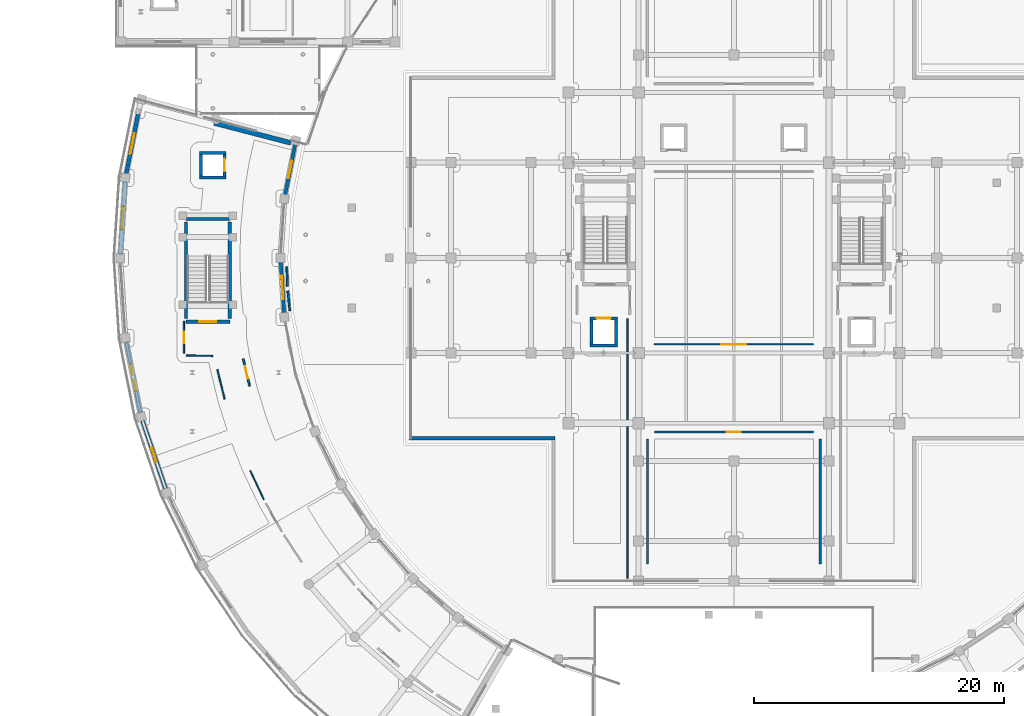
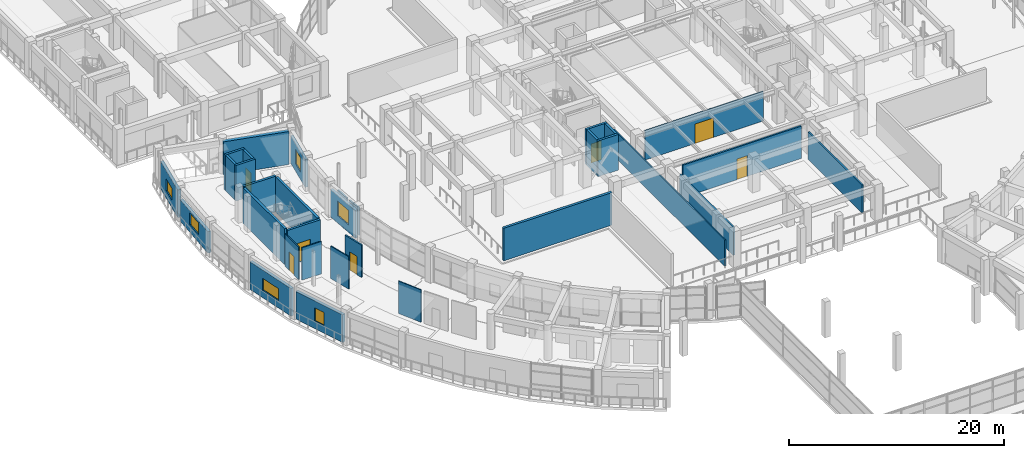
# One storey, part 59 of 87: 32 walls, 7 doors, 6 windows, 13 openings.
"""IFC4 building model written with IfcOpenShell, lengths in metres."""

from ifc_helpers import new_model, si_unit, direction, frame, frame_2d, origin, place, context, subcontext, project, spatial, rectangle, extrude, material, layer, layer_set, type_object, element, fill, save


model = new_model("IFC4")

# Units and contexts
model_context = context("Model", 3, precision=1e-05, world=origin(), true_north=direction((0.0, 1.0)))
body_context = subcontext(model_context, "Body", "Model", "MODEL_VIEW")
ifc_project = project(units=[si_unit("LENGTHUNIT", "METRE"), si_unit("AREAUNIT", "SQUARE_METRE"), si_unit("VOLUMEUNIT", "CUBIC_METRE"), si_unit("PLANEANGLEUNIT", "RADIAN"), si_unit("MASSUNIT", "GRAM", prefix="KILO")], contexts=[model_context])

# Site, building, storey
site_placement = place(None, origin())
site = spatial("IfcSite", under=ifc_project, at=site_placement, CompositionType="ELEMENT")
building_placement = place(site_placement, origin())
building = spatial("IfcBuilding", under=site, at=building_placement, Name="Saryqyr Civic Hall", CompositionType="ELEMENT")
storey_placement = place(building_placement, frame((0.0, 0.0, 5.10009765625)))
storey = spatial("IfcBuildingStorey", under=building, at=storey_placement, Name="L01", CompositionType="ELEMENT", Elevation=5.10009765625)

# Wall, opening, window
ifc_material_1 = material(Name="Precast concrete C40/50", Category="concrete")
ifc_layer_1 = layer(ifc_material_1, 0.27001953125, Name="Precast concrete C40/50")
ifc_layer_set_1 = layer_set([ifc_layer_1], Name="Precast concrete C40/50")
wall_type_1 = type_object("IfcWallType", Name="ENV-WAL-EXT-270", PredefinedType="STANDARD", material=ifc_layer_set_1)
wall_1_placement = place(storey_placement, frame((21.976806640625, 93.084228515625, 0.0), z_axis=(0.0, 0.0, 1.0), x_axis=(-0.19506490442, -0.980790335935, 0.0)))
wall_1 = element("IfcWall", 1, at=wall_1_placement, inside=storey, type_object=wall_type_1, Name="Exterior wall V4-EWI-L01-00", PredefinedType="STANDARD", context=body_context, shape_type="SweptSolid", body=[
    extrude(rectangle(XDim=4.154052734375, YDim=0.27001953125, at=frame_2d((2.0771484375, 0.0))), origin(), (0.0, 0.0, 1.0), 3.14501953125),
])
opening_1_placement = place(wall_1_placement, frame((1.376953125, 0.0, 0.85009765625)))
opening_1 = element("IfcOpeningElement", 2, at=opening_1_placement, cuts=wall_1, Name="Opening W-18", PredefinedType="OPENING", context=body_context, shape_type="SweptSolid", body=[
    extrude(rectangle(XDim=1.39990234375, YDim=1.64990234375, at=frame_2d((0.699951171875, 0.824951171875))), frame((0.0, 0.14501953125, 0.0), z_axis=(0.0, -1.0, 0.0), x_axis=(1.0, 0.0, 0.0)), (0.0, 0.0, 1.0), 0.2900390625),
])
ifc_material_2 = material(Name="Anodised aluminium and triple low-E glass", Category="aluminium")
window_type_1 = type_object("IfcWindowType", Name="ENV-WIN-W18", PartitioningType="SINGLE_PANEL", PredefinedType="WINDOW", material=ifc_material_2)
window_1_placement = place(opening_1_placement, origin())
window_1 = element("IfcWindow", 3, at=window_1_placement, inside=storey, type_object=window_type_1, Name="Courtyard window V4-L01-00", OverallHeight=1.64990234375, OverallWidth=1.39990234375, PartitioningType="SINGLE_PANEL", PredefinedType="WINDOW", context=body_context, shape_type="SweptSolid", body=[
    extrude(rectangle(XDim=1.39990234375, YDim=1.64990234375, at=frame_2d((0.699951171875, 0.824951171875))), frame((0.0, 0.030029296875, 0.0), z_axis=(0.0, -1.0, 0.0), x_axis=(1.0, 0.0, 0.0)), (0.0, 0.0, 1.0), 0.06005859375),
])
fill(opening_1, window_1)

wall_2_placement = place(storey_placement, frame((20.818603515625, 83.715087890625, 0.0), z_axis=(0.0, 0.0, 1.0), x_axis=(0.065433242561, -0.99785694905, 0.0)))
wall_2 = element("IfcWall", 4, at=wall_2_placement, inside=storey, type_object=wall_type_1, Name="Exterior wall V4-EWI-L01-02", PredefinedType="STANDARD", context=body_context, shape_type="SweptSolid", body=[
    extrude(rectangle(XDim=4.1640625, YDim=0.27001953125, at=frame_2d((2.08203125, 0.0))), origin(), (0.0, 0.0, 1.0), 3.14501953125),
])
opening_2_placement = place(wall_2_placement, frame((1.156982421875, 0.0, 0.85009765625)))
opening_2 = element("IfcOpeningElement", 5, at=opening_2_placement, cuts=wall_2, Name="Opening W-20", PredefinedType="OPENING", context=body_context, shape_type="SweptSolid", body=[
    extrude(rectangle(XDim=1.85009765625, YDim=1.64990234375, at=frame_2d((0.925048828125, 0.824951171875))), frame((0.0, 0.14501953125, 0.0), z_axis=(0.0, -1.0, 0.0), x_axis=(1.0, 0.0, 0.0)), (0.0, 0.0, 1.0), 0.2900390625),
])
window_type_2 = type_object("IfcWindowType", Name="ENV-WIN-W20", PartitioningType="SINGLE_PANEL", PredefinedType="WINDOW", material=ifc_material_2)
window_2_placement = place(opening_2_placement, origin())
window_2 = element("IfcWindow", 6, at=window_2_placement, inside=storey, type_object=window_type_2, Name="Courtyard window V4-L01-02", OverallHeight=1.64990234375, OverallWidth=1.85009765625, PartitioningType="SINGLE_PANEL", PredefinedType="WINDOW", context=body_context, shape_type="SweptSolid", body=[
    extrude(rectangle(XDim=1.85009765625, YDim=1.64990234375, at=frame_2d((0.925048828125, 0.824951171875))), frame((0.0, 0.030029296875, 0.0), z_axis=(0.0, -1.0, 0.0), x_axis=(1.0, 0.0, 0.0)), (0.0, 0.0, 1.0), 0.06005859375),
])
fill(opening_2, window_2)

# Wall
wall_3_placement = place(storey_placement, frame((42.719970703125, 69.60009765625, 0.0), z_axis=(0.0, 0.0, 1.0), x_axis=(-1.0, 0.0, 0.0)))
element("IfcWall", 7, at=wall_3_placement, inside=storey, type_object=wall_type_1, Name="Exterior wall V1-EW-L01-01", PredefinedType="STANDARD", context=body_context, shape_type="SweptSolid", body=[
    extrude(rectangle(XDim=11.639892578125, YDim=0.27001953125, at=frame_2d((5.81982421875, 0.0))), origin(), (0.0, 0.0, 1.0), 3.699951171875),
])

# Wall, opening, window
ifc_layer_2 = layer(ifc_material_1, 0.31005859375, Name="Precast concrete C40/50")
ifc_layer_set_2 = layer_set([ifc_layer_2], Name="Precast concrete C40/50")
wall_type_2 = type_object("IfcWallType", Name="ENV-WAL-EXT-310", PredefinedType="STANDARD", material=ifc_layer_set_2)
wall_4_placement = place(storey_placement, frame((8.475830078125, 90.680908203125, 0.0), z_axis=(0.0, 0.0, 1.0), x_axis=(0.195073176628, 0.980788690677, 0.0)))
wall_4 = element("IfcWall", 8, at=wall_4_placement, inside=storey, type_object=wall_type_2, Name="Exterior wall V4-EWO-L01-00", PredefinedType="STANDARD", context=body_context, shape_type="SweptSolid", body=[
    extrude(rectangle(XDim=4.952392578125, YDim=0.31005859375, at=frame_2d((2.47607421875, 0.0))), origin(), (0.0, 0.0, 1.0), 3.14501953125),
])
opening_3_placement = place(wall_4_placement, frame((1.6259765625, 0.0, 0.85009765625)))
opening_3 = element("IfcOpeningElement", 9, at=opening_3_placement, cuts=wall_4, Name="Opening W-05", PredefinedType="OPENING", context=body_context, shape_type="SweptSolid", body=[
    extrude(rectangle(XDim=1.699951171875, YDim=1.35009765625, at=frame_2d((0.85009765625, 0.675048828125))), frame((0.0, 0.1650390625, 0.0), z_axis=(0.0, -1.0, 0.0), x_axis=(1.0, 0.0, 0.0)), (0.0, 0.0, 1.0), 0.330078125),
])
window_type_3 = type_object("IfcWindowType", Name="ENV-WIN-W05", PartitioningType="SINGLE_PANEL", PredefinedType="WINDOW", material=ifc_material_2)
window_3_placement = place(opening_3_placement, origin())
window_3 = element("IfcWindow", 10, at=window_3_placement, inside=storey, type_object=window_type_3, Name="Exterior ribbon window V4-L01-00", OverallHeight=1.35009765625, OverallWidth=1.699951171875, PartitioningType="SINGLE_PANEL", PredefinedType="WINDOW", context=body_context, shape_type="SweptSolid", body=[
    extrude(rectangle(XDim=1.699951171875, YDim=1.35009765625, at=frame_2d((0.85009765625, 0.675048828125))), frame((0.0, 0.030029296875, 0.0), z_axis=(0.0, -1.0, 0.0), x_axis=(1.0, 0.0, 0.0)), (0.0, 0.0, 1.0), 0.06005859375),
])
fill(opening_3, window_3)

wall_5_placement = place(storey_placement, frame((8.018798828125, 84.284912109375, 0.0), z_axis=(0.0, 0.0, 1.0), x_axis=(0.065358841408, 0.997861825029, 0.0)))
wall_5 = element("IfcWall", 11, at=wall_5_placement, inside=storey, type_object=wall_type_2, Name="Exterior wall V4-EWO-L01-01", PredefinedType="STANDARD", context=body_context, shape_type="SweptSolid", body=[
    extrude(rectangle(XDim=5.83837890625, YDim=0.31005859375, at=frame_2d((2.919189453125, 0.0))), origin(), (0.0, 0.0, 1.0), 2.449951171875),
])
opening_4_placement = place(wall_5_placement, frame((1.993896484375, 0.0, 0.85009765625)))
opening_4 = element("IfcOpeningElement", 12, at=opening_4_placement, cuts=wall_5, Name="Opening W-06", PredefinedType="OPENING", context=body_context, shape_type="SweptSolid", body=[
    extrude(rectangle(XDim=1.85009765625, YDim=1.35009765625, at=frame_2d((0.925048828125, 0.675048828125))), frame((0.0, 0.1650390625, 0.0), z_axis=(0.0, -1.0, 0.0), x_axis=(1.0, 0.0, 0.0)), (0.0, 0.0, 1.0), 0.330078125),
])
window_type_4 = type_object("IfcWindowType", Name="ENV-WIN-W06", PartitioningType="SINGLE_PANEL", PredefinedType="WINDOW", material=ifc_material_2)
window_4_placement = place(opening_4_placement, origin())
window_4 = element("IfcWindow", 13, at=window_4_placement, inside=storey, type_object=window_type_4, Name="Exterior ribbon window V4-L01-01", OverallHeight=1.35009765625, OverallWidth=1.85009765625, PartitioningType="SINGLE_PANEL", PredefinedType="WINDOW", context=body_context, shape_type="SweptSolid", body=[
    extrude(rectangle(XDim=1.85009765625, YDim=1.35009765625, at=frame_2d((0.925048828125, 0.675048828125))), frame((0.0, 0.030029296875, 0.0), z_axis=(0.0, -1.0, 0.0), x_axis=(1.0, 0.0, 0.0)), (0.0, 0.0, 1.0), 0.06005859375),
])
fill(opening_4, window_4)

wall_6_placement = place(storey_placement, frame((9.61279296875, 71.602783203125, 0.0), z_axis=(0.0, 0.0, 1.0), x_axis=(-0.195076856741, 0.980787958717, 0.0)))
wall_6 = element("IfcWall", 14, at=wall_6_placement, inside=storey, type_object=wall_type_2, Name="Exterior wall V4-EWO-L01-03", PredefinedType="STANDARD", context=body_context, shape_type="SweptSolid", body=[
    extrude(rectangle(XDim=5.828369140625, YDim=0.31005859375, at=frame_2d((2.9140625, 0.0))), origin(), (0.0, 0.0, 1.0), 3.14501953125),
])
opening_5_placement = place(wall_6_placement, frame((1.81396484375, 0.0, 0.85009765625)))
opening_5 = element("IfcOpeningElement", 15, at=opening_5_placement, cuts=wall_6, Name="Opening W-08", PredefinedType="OPENING", context=body_context, shape_type="SweptSolid", body=[
    extrude(rectangle(XDim=2.199951171875, YDim=1.35009765625, at=frame_2d((1.10009765625, 0.675048828125))), frame((0.0, 0.1650390625, 0.0), z_axis=(0.0, -1.0, 0.0), x_axis=(1.0, 0.0, 0.0)), (0.0, 0.0, 1.0), 0.330078125),
])
window_type_5 = type_object("IfcWindowType", Name="ENV-WIN-W08", PartitioningType="SINGLE_PANEL", PredefinedType="WINDOW", material=ifc_material_2)
window_5_placement = place(opening_5_placement, origin())
window_5 = element("IfcWindow", 16, at=window_5_placement, inside=storey, type_object=window_type_5, Name="Exterior ribbon window V4-L01-03", OverallHeight=1.35009765625, OverallWidth=2.199951171875, PartitioningType="SINGLE_PANEL", PredefinedType="WINDOW", context=body_context, shape_type="SweptSolid", body=[
    extrude(rectangle(XDim=2.199951171875, YDim=1.35009765625, at=frame_2d((1.10009765625, 0.675048828125))), frame((0.0, 0.030029296875, 0.0), z_axis=(0.0, -1.0, 0.0), x_axis=(1.0, 0.0, 0.0)), (0.0, 0.0, 1.0), 0.06005859375),
])
fill(opening_5, window_5)

wall_7_placement = place(storey_placement, frame((11.63330078125, 65.533447265625, 0.0), z_axis=(0.0, 0.0, 1.0), x_axis=(-0.321456554182, 0.94692432843, 0.0)))
wall_7 = element("IfcWall", 17, at=wall_7_placement, inside=storey, type_object=wall_type_2, Name="Exterior wall V4-EWO-L01-04", PredefinedType="STANDARD", context=body_context, shape_type="SweptSolid", body=[
    extrude(rectangle(XDim=5.807861328125, YDim=0.31005859375, at=frame_2d((2.90380859375, 0.0))), origin(), (0.0, 0.0, 1.0), 3.14501953125),
])
opening_6_placement = place(wall_7_placement, frame((2.3291015625, 0.0, 0.85009765625)))
opening_6 = element("IfcOpeningElement", 18, at=opening_6_placement, cuts=wall_7, Name="Opening W-09", PredefinedType="OPENING", context=body_context, shape_type="SweptSolid", body=[
    extrude(rectangle(XDim=1.14990234375, YDim=1.5, at=frame_2d((0.574951171875, 0.75))), frame((0.0, 0.1650390625, 0.0), z_axis=(0.0, -1.0, 0.0), x_axis=(1.0, 0.0, 0.0)), (0.0, 0.0, 1.0), 0.330078125),
])
window_type_6 = type_object("IfcWindowType", Name="ENV-WIN-W09", PartitioningType="SINGLE_PANEL", PredefinedType="WINDOW", material=ifc_material_2)
window_6_placement = place(opening_6_placement, origin())
window_6 = element("IfcWindow", 19, at=window_6_placement, inside=storey, type_object=window_type_6, Name="Exterior ribbon window V4-L01-04", OverallHeight=1.5, OverallWidth=1.14990234375, PartitioningType="SINGLE_PANEL", PredefinedType="WINDOW", context=body_context, shape_type="SweptSolid", body=[
    extrude(rectangle(XDim=1.14990234375, YDim=1.5, at=frame_2d((0.574951171875, 0.75))), frame((0.0, 0.030029296875, 0.0), z_axis=(0.0, -1.0, 0.0), x_axis=(1.0, 0.0, 0.0)), (0.0, 0.0, 1.0), 0.06005859375),
])
fill(opening_6, window_6)

# Walls
ifc_material_3 = material(Name="Concrete C40/50", Category="concrete")
ifc_layer_3 = layer(ifc_material_3, 0.3798828125, Name="Concrete C40/50")
ifc_layer_set_3 = layer_set([ifc_layer_3], Name="Concrete C40/50")
wall_type_3 = type_object("IfcWallType", Name="ENV-WAL-PTY-380", PredefinedType="SHEAR", material=ifc_layer_set_3)
wall_8_placement = place(storey_placement, frame((15.5146484375, 94.767578125, 0.0), z_axis=(0.0, 0.0, 1.0), x_axis=(0.967930025072, -0.251219956541, 0.0)))
element("IfcWall", 20, at=wall_8_placement, inside=storey, type_object=wall_type_3, Name="Exterior wall V4-JNTW-A-L01", PredefinedType="SHEAR", context=body_context, shape_type="SweptSolid", body=[
    extrude(rectangle(XDim=6.31005859375, YDim=0.3798828125, at=frame_2d((3.155029296875, 0.0))), origin(), (0.0, 0.0, 1.0), 3.75),
])
ifc_material_4 = material(Name="Lightweight demountable partition", Category="gypsum")
ifc_layer_4 = layer(ifc_material_4, 0.094970703125, Name="Lightweight demountable partition")
ifc_layer_set_4 = layer_set([ifc_layer_4], Name="Lightweight demountable partition")
wall_type_4 = type_object("IfcWallType", Name="INT-WAL-PRT-095", PredefinedType="PARTITIONING", material=ifc_layer_set_4)
wall_9_placement = place(storey_placement, frame((18.374267578125, 67.017578125, 0.0), z_axis=(0.0, 0.0, 1.0), x_axis=(0.430041177786, -0.902809274104, 0.0)))
element("IfcWall", 21, at=wall_9_placement, inside=storey, type_object=wall_type_4, Name="Interior partition PRT-SP-V4-L01-R02-W3", PredefinedType="PARTITIONING", context=body_context, shape_type="SweptSolid", body=[
    extrude(rectangle(XDim=2.55419921875, YDim=0.094970703125, at=frame_2d((1.277099609375, 0.0))), origin(), (0.0, 0.0, 1.0), 3.679931640625),
])

# Wall, opening, door
wall_10_placement = place(storey_placement, frame((63.35009765625, 77.10009765625, 0.0), z_axis=(0.0, 0.0, 1.0), x_axis=(-1.0, 0.0, 0.0)))
wall_10 = element("IfcWall", 22, at=wall_10_placement, inside=storey, type_object=wall_type_4, Name="Interior partition PRT-SP-V1-L01-R01-W1", PredefinedType="PARTITIONING", context=body_context, shape_type="SweptSolid", body=[
    extrude(rectangle(XDim=12.7001953125, YDim=0.094970703125, at=frame_2d((6.35009765625, 0.0))), origin(), (0.0, 0.0, 1.0), 3.344970703125),
])
opening_7_placement = place(wall_10_placement, frame((5.35009765625, 0.0, 0.0)))
opening_7 = element("IfcOpeningElement", 23, at=opening_7_placement, cuts=wall_10, Name="Opening D-16", PredefinedType="OPENING", context=body_context, shape_type="SweptSolid", body=[
    extrude(rectangle(XDim=2.0, YDim=2.219970703125, at=frame_2d((1.0, 1.10986328125))), frame((0.0, 0.057373046875, 0.0), z_axis=(0.0, -1.0, 0.0), x_axis=(1.0, 0.0, 0.0)), (0.0, 0.0, 1.0), 0.114990234375),
])
ifc_material_5 = material(Name="Acoustic solid-core oak veneer", Category="wood")
door_type_1 = type_object("IfcDoorType", Name="INT-DR-D-16", OperationType="NOTDEFINED", PredefinedType="DOOR", material=ifc_material_5)
door_1_placement = place(opening_7_placement, origin())
door_1 = element("IfcDoor", 24, at=door_1_placement, inside=storey, type_object=door_type_1, Name="Interior door Ceremonial Marriage & Citizenship Hall", OperationType="DOUBLE_DOOR_SINGLE_SWING", OverallHeight=2.219970703125, OverallWidth=2.0, PredefinedType="DOOR", context=body_context, shape_type="SweptSolid", body=[
    extrude(rectangle(XDim=2.0, YDim=2.219970703125, at=frame_2d((1.0, 1.10986328125))), frame((0.0, 0.02490234375, 0.0), z_axis=(0.0, -1.0, 0.0), x_axis=(1.0, 0.0, 0.0)), (0.0, 0.0, 1.0), 0.050048828125),
])
fill(opening_7, door_1)

ifc_material_6 = material(Name="Moisture-resistant gypsum partition", Category="gypsum")
ifc_layer_5 = layer(ifc_material_6, 0.110107421875, Name="Moisture-resistant gypsum partition")
ifc_layer_set_5 = layer_set([ifc_layer_5], Name="Moisture-resistant gypsum partition")
wall_type_5 = type_object("IfcWallType", Name="INT-WAL-PRT-110", PredefinedType="PARTITIONING", material=ifc_layer_set_5)
wall_11_placement = place(storey_placement, frame((13.080078125, 78.922119140625, 0.0), z_axis=(0.0, 0.0, 1.0), x_axis=(0.0, -1.0, 0.0)))
wall_11 = element("IfcWall", 25, at=wall_11_placement, inside=storey, type_object=wall_type_5, Name="Interior partition PRT-SP-V4-L01-R01-W1", PredefinedType="PARTITIONING", context=body_context, shape_type="SweptSolid", body=[
    extrude(rectangle(XDim=2.542236328125, YDim=0.110107421875, at=frame_2d((1.27099609375, 0.0))), origin(), (0.0, 0.0, 1.0), 3.679931640625),
])
opening_8_placement = place(wall_11_placement, frame((0.821044921875, 0.0, 0.0)))
opening_8 = element("IfcOpeningElement", 26, at=opening_8_placement, cuts=wall_11, Name="Opening D-01", PredefinedType="OPENING", context=body_context, shape_type="SweptSolid", body=[
    extrude(rectangle(XDim=0.89990234375, YDim=2.10009765625, at=frame_2d((0.449951171875, 1.050048828125))), frame((0.0, 0.06494140625, 0.0), z_axis=(0.0, -1.0, 0.0), x_axis=(1.0, 0.0, 0.0)), (0.0, 0.0, 1.0), 0.130126953125),
])
door_type_2 = type_object("IfcDoorType", Name="INT-DR-D-01", OperationType="NOTDEFINED", PredefinedType="DOOR", material=ifc_material_5)
door_2_placement = place(opening_8_placement, origin())
door_2 = element("IfcDoor", 27, at=door_2_placement, inside=storey, type_object=door_type_2, Name="Interior door Civil Registry Ceremonial Hall", OperationType="SINGLE_SWING_LEFT", OverallHeight=2.10009765625, OverallWidth=0.89990234375, PredefinedType="DOOR", context=body_context, shape_type="SweptSolid", body=[
    extrude(rectangle(XDim=0.89990234375, YDim=2.10009765625, at=frame_2d((0.449951171875, 1.050048828125))), frame((0.0, 0.02490234375, 0.0), z_axis=(0.0, -1.0, 0.0), x_axis=(1.0, 0.0, 0.0)), (0.0, 0.0, 1.0), 0.050048828125),
])
fill(opening_8, door_2)

# Walls
wall_12_placement = place(storey_placement, frame((15.371826171875, 76.181396484375, 0.0), z_axis=(0.0, 0.0, 1.0), x_axis=(-0.999967257447, 0.00809222058, 0.0)))
element("IfcWall", 28, at=wall_12_placement, inside=storey, type_object=wall_type_5, Name="Interior partition PRT-SP-V4-L01-R01-W2", PredefinedType="PARTITIONING", context=body_context, shape_type="SweptSolid", body=[
    extrude(rectangle(XDim=2.11181640625, YDim=0.110107421875, at=frame_2d((1.055908203125, 0.0))), origin(), (0.0, 0.0, 1.0), 3.679931640625),
])
wall_13_placement = place(storey_placement, frame((15.757080078125, 75.08935546875, 0.0), z_axis=(0.0, 0.0, 1.0), x_axis=(0.239251960712, -0.970957516731, 0.0)))
element("IfcWall", 29, at=wall_13_placement, inside=storey, type_object=wall_type_5, Name="Interior partition PRT-SP-V4-L01-R01-W3", PredefinedType="PARTITIONING", context=body_context, shape_type="SweptSolid", body=[
    extrude(rectangle(XDim=2.4326171875, YDim=0.110107421875, at=frame_2d((1.21630859375, 0.0))), origin(), (0.0, 0.0, 1.0), 3.679931640625),
])
ifc_material_7 = material(Name="Metal-stud gypsum board partition", Category="gypsum")
ifc_layer_6 = layer(ifc_material_7, 0.125, Name="Metal-stud gypsum board partition")
ifc_layer_set_6 = layer_set([ifc_layer_6], Name="Metal-stud gypsum board partition")
wall_type_6 = type_object("IfcWallType", Name="INT-WAL-PRT-125", PredefinedType="PARTITIONING", material=ifc_layer_set_6)
wall_14_placement = place(storey_placement, frame((48.5, 79.14990234375, 0.0), z_axis=(0.0, 0.0, 1.0), x_axis=(0.0, -1.0, 0.0)))
element("IfcWall", 30, at=wall_14_placement, inside=storey, type_object=wall_type_6, Name="Interior partition PRT-SP-V2-L01-WGAL-W2", PredefinedType="PARTITIONING", context=body_context, shape_type="SweptSolid", body=[
    extrude(rectangle(XDim=20.719970703125, YDim=0.125, at=frame_2d((10.35986328125, 0.0))), origin(), (0.0, 0.0, 1.0), 2.994873046875),
])
ifc_material_8 = material(Name="Acoustic double-stud gypsum board", Category="gypsum")
ifc_layer_7 = layer(ifc_material_8, 0.155029296875, Name="Acoustic double-stud gypsum board")
ifc_layer_set_7 = layer_set([ifc_layer_7], Name="Acoustic double-stud gypsum board")
wall_type_7 = type_object("IfcWallType", Name="INT-WAL-PRT-155", PredefinedType="PARTITIONING", material=ifc_layer_set_7)
for number, where, z_axis, x_axis, name in (
    (31, (21.30029296875, 83.30078125, 0.0), (0.0, 0.0, 1.0), (0.036714963765, -0.999325778431, 0.0), "Interior partition PRT-SP-V4-L01-R04-W1"),
    (32, (21.383056640625, 81.3603515625, 0.0), (0.0, 0.0, 1.0), (0.101198981329, -0.994866205164, 0.0), "Interior partition PRT-SP-V4-L01-R04-W2"),
):
    element("IfcWall", number, at=place(storey_placement, frame(where, z_axis=z_axis, x_axis=x_axis)), inside=storey, type_object=wall_type_7, Name=name, PredefinedType="PARTITIONING", context=body_context, shape_type="SweptSolid", body=[
        extrude(rectangle(XDim=1.58251953125, YDim=0.155029296875, at=frame_2d((0.791259765625, 0.0))), origin(), (0.0, 0.0, 1.0), 3.14501953125),
    ])

# Wall, opening, door
wall_15_placement = place(storey_placement, frame((18.336181640625, 73.7685546875, 0.0), z_axis=(0.0, 0.0, 1.0), x_axis=(-0.228752460952, 0.973484623201, 0.0)))
wall_15 = element("IfcWall", 33, at=wall_15_placement, inside=storey, type_object=wall_type_7, Name="Interior partition PRT-SP-V4-L01-R04-W3", PredefinedType="PARTITIONING", context=body_context, shape_type="SweptSolid", body=[
    extrude(rectangle(XDim=2.2294921875, YDim=0.155029296875, at=frame_2d((1.11474609375, 0.0))), origin(), (0.0, 0.0, 1.0), 3.679931640625),
])
opening_9_placement = place(wall_15_placement, frame((0.614990234375, 0.0, 0.0)))
opening_9 = element("IfcOpeningElement", 34, at=opening_9_placement, cuts=wall_15, Name="Opening D-03", PredefinedType="OPENING", context=body_context, shape_type="SweptSolid", body=[
    extrude(rectangle(XDim=1.0, YDim=2.10009765625, at=frame_2d((0.5, 1.050048828125))), frame((0.0, 0.08740234375, 0.0), z_axis=(0.0, -1.0, 0.0), x_axis=(1.0, 0.0, 0.0)), (0.0, 0.0, 1.0), 0.175048828125),
])
door_type_3 = type_object("IfcDoorType", Name="INT-DR-D-03", OperationType="NOTDEFINED", PredefinedType="DOOR", material=ifc_material_5)
door_3_placement = place(opening_9_placement, origin())
door_3 = element("IfcDoor", 35, at=door_3_placement, inside=storey, type_object=door_type_3, Name="Interior door Vital Records Registration Office", OperationType="SINGLE_SWING_RIGHT", OverallHeight=2.10009765625, OverallWidth=1.0, PredefinedType="DOOR", context=body_context, shape_type="SweptSolid", body=[
    extrude(rectangle(XDim=1.0, YDim=2.10009765625, at=frame_2d((0.5, 1.050048828125))), frame((0.0, 0.02490234375, 0.0), z_axis=(0.0, -1.0, 0.0), x_axis=(1.0, 0.0, 0.0)), (0.0, 0.0, 1.0), 0.050048828125),
])
fill(opening_9, door_3)

ifc_layer_8 = layer(ifc_material_8, 0.169921875, Name="Acoustic double-stud gypsum board")
ifc_layer_set_8 = layer_set([ifc_layer_8], Name="Acoustic double-stud gypsum board")
wall_type_8 = type_object("IfcWallType", Name="INT-WAL-PRT-170", PredefinedType="PARTITIONING", material=ifc_layer_set_8)
wall_16_placement = place(storey_placement, frame((50.64990234375, 70.10009765625, 0.0), z_axis=(0.0, 0.0, 1.0), x_axis=(1.0, 0.0, 0.0)))
wall_16 = element("IfcWall", 36, at=wall_16_placement, inside=storey, type_object=wall_type_8, Name="Interior partition PRT-SP-V1-L01-R02-W1", PredefinedType="PARTITIONING", context=body_context, shape_type="SweptSolid", body=[
    extrude(rectangle(XDim=12.7001953125, YDim=0.169921875, at=frame_2d((6.35009765625, 0.0))), origin(), (0.0, 0.0, 1.0), 3.679931640625),
])
opening_10_placement = place(wall_16_placement, frame((5.800048828125, 0.0, 0.0)))
opening_10 = element("IfcOpeningElement", 37, at=opening_10_placement, cuts=wall_16, Name="Opening D-17", PredefinedType="OPENING", context=body_context, shape_type="SweptSolid", body=[
    extrude(rectangle(XDim=1.10009765625, YDim=2.35009765625, at=frame_2d((0.550048828125, 1.175048828125))), frame((0.0, 0.094970703125, 0.0), z_axis=(0.0, -1.0, 0.0), x_axis=(1.0, 0.0, 0.0)), (0.0, 0.0, 1.0), 0.18994140625),
])
door_type_4 = type_object("IfcDoorType", Name="INT-DR-D-17", OperationType="NOTDEFINED", PredefinedType="DOOR", material=ifc_material_5)
door_4_placement = place(opening_10_placement, origin())
door_4 = element("IfcDoor", 38, at=door_4_placement, inside=storey, type_object=door_type_4, Name="Interior door Registry Witnesses' & Guests' Salon", OperationType="SINGLE_SWING_RIGHT", OverallHeight=2.35009765625, OverallWidth=1.10009765625, PredefinedType="DOOR", context=body_context, shape_type="SweptSolid", body=[
    extrude(rectangle(XDim=1.10009765625, YDim=2.35009765625, at=frame_2d((0.550048828125, 1.175048828125))), frame((0.0, 0.02490234375, 0.0), z_axis=(0.0, -1.0, 0.0), x_axis=(1.0, 0.0, 0.0)), (0.0, 0.0, 1.0), 0.050048828125),
])
fill(opening_10, door_4)

# Walls
for number, where, z_axis, x_axis, name in (
    (39, (63.89990234375, 69.550048828125, 0.0), (0.0, 0.0, 1.0), (0.0, -1.0, 0.0), "Interior partition PRT-SP-V1-L01-R02-W2"),
    (40, (50.10009765625, 59.550048828125, 0.0), (0.0, 0.0, 1.0), (0.0, 1.0, 0.0), "Interior partition PRT-SP-V1-L01-R02-W3"),
):
    element("IfcWall", number, at=place(storey_placement, frame(where, z_axis=z_axis, x_axis=x_axis)), inside=storey, type_object=wall_type_8, Name=name, PredefinedType="PARTITIONING", context=body_context, shape_type="SweptSolid", body=[
        extrude(rectangle(XDim=10.0, YDim=0.169921875, at=frame_2d((5.0, 0.0))), origin(), (0.0, 0.0, 1.0), 3.14501953125),
    ])
ifc_layer_9 = layer(ifc_material_3, 0.239990234375, Name="Concrete C40/50")
ifc_layer_set_9 = layer_set([ifc_layer_9], Name="Concrete C40/50")
wall_type_9 = type_object("IfcWallType", Name="INT-WAL-SHR-240", PredefinedType="SHEAR", material=ifc_layer_set_9)
wall_17_placement = place(storey_placement, frame((47.699951171875, 77.02001953125, 0.0), z_axis=(0.0, 0.0, 1.0), x_axis=(-1.0, 0.0, 0.0)))
element("IfcWall", 41, at=wall_17_placement, inside=storey, type_object=wall_type_9, Name="Lift shaft shear wall LF-01-SHW-S-L01", PredefinedType="SHEAR", context=body_context, shape_type="SweptSolid", body=[
    extrude(rectangle(XDim=2.199951171875, YDim=0.239990234375, at=frame_2d((1.10009765625, 0.0))), origin(), (0.0, 0.0, 1.0), 4.0498046875),
])
wall_18_placement = place(storey_placement, frame((47.580078125, 79.06005859375, 0.0), z_axis=(0.0, 0.0, 1.0), x_axis=(0.0, -1.0, 0.0)))
element("IfcWall", 42, at=wall_18_placement, inside=storey, type_object=wall_type_9, Name="Lift shaft shear wall LF-01-SHW-E-L01", PredefinedType="SHEAR", context=body_context, shape_type="SweptSolid", body=[
    extrude(rectangle(XDim=1.920166015625, YDim=0.239990234375, at=frame_2d((0.9599609375, 0.0))), origin(), (0.0, 0.0, 1.0), 4.0498046875),
])

# Wall, opening, door
wall_19_placement = place(storey_placement, frame((45.5, 79.179931640625, 0.0), z_axis=(0.0, 0.0, 1.0), x_axis=(1.0, 0.0, 0.0)))
wall_19 = element("IfcWall", 43, at=wall_19_placement, inside=storey, type_object=wall_type_9, Name="Lift shaft shear wall LF-01-SHW-N-L01", PredefinedType="SHEAR", context=body_context, shape_type="SweptSolid", body=[
    extrude(rectangle(XDim=2.199951171875, YDim=0.239990234375, at=frame_2d((1.10009765625, 0.0))), origin(), (0.0, 0.0, 1.0), 4.0498046875),
])
opening_11_placement = place(wall_19_placement, frame((0.550048828125, 0.0, 0.0)))
opening_11 = element("IfcOpeningElement", 44, at=opening_11_placement, cuts=wall_19, Name="Opening LD-01", PredefinedType="OPENING", context=body_context, shape_type="SweptSolid", body=[
    extrude(rectangle(XDim=1.10009765625, YDim=2.14990234375, at=frame_2d((0.550048828125, 1.074951171875))), frame((0.0, 0.1298828125, 0.0), z_axis=(0.0, -1.0, 0.0), x_axis=(1.0, 0.0, 0.0)), (0.0, 0.0, 1.0), 0.260009765625),
])
ifc_material_9 = material(Name="Brushed stainless steel", Category="steel")
door_type_5 = type_object("IfcDoorType", Name="INT-DR-LD-1100x2150", OperationType="NOTDEFINED", PredefinedType="DOOR", material=ifc_material_9)
door_5_placement = place(opening_11_placement, origin())
door_5 = element("IfcDoor", 45, at=door_5_placement, inside=storey, type_object=door_type_5, Name="Lift sliding landing door LF-01 L01", OperationType="SLIDING_TO_LEFT", OverallHeight=2.14990234375, OverallWidth=1.10009765625, PredefinedType="DOOR", context=body_context, shape_type="SweptSolid", body=[
    extrude(rectangle(XDim=1.10009765625, YDim=2.14990234375, at=frame_2d((0.550048828125, 1.074951171875))), frame((0.0, 0.02490234375, 0.0), z_axis=(0.0, -1.0, 0.0), x_axis=(1.0, 0.0, 0.0)), (0.0, 0.0, 1.0), 0.050048828125),
])
fill(opening_11, door_5)

# Walls
wall_20_placement = place(storey_placement, frame((45.6201171875, 77.139892578125, 0.0), z_axis=(0.0, 0.0, 1.0), x_axis=(0.0, 1.0, 0.0)))
element("IfcWall", 46, at=wall_20_placement, inside=storey, type_object=wall_type_9, Name="Lift shaft shear wall LF-01-SHW-W-L01", PredefinedType="SHEAR", context=body_context, shape_type="SweptSolid", body=[
    extrude(rectangle(XDim=1.920166015625, YDim=0.239990234375, at=frame_2d((0.9599609375, 0.0))), origin(), (0.0, 0.0, 1.0), 4.0498046875),
])
wall_21_placement = place(storey_placement, frame((16.449951171875, 90.419921875, 0.0), z_axis=(0.0, 0.0, 1.0), x_axis=(-1.0, 0.0, 0.0)))
element("IfcWall", 47, at=wall_21_placement, inside=storey, type_object=wall_type_9, Name="Lift shaft shear wall LF-06-SHW-S-L01", PredefinedType="SHEAR", context=body_context, shape_type="SweptSolid", body=[
    extrude(rectangle(XDim=2.099853515625, YDim=0.239990234375, at=frame_2d((1.0498046875, 0.0))), origin(), (0.0, 0.0, 1.0), 4.0498046875),
])

# Wall, opening, door
wall_22_placement = place(storey_placement, frame((16.330078125, 92.260009765625, 0.0), z_axis=(0.0, 0.0, 1.0), x_axis=(0.0, -1.0, 0.0)))
wall_22 = element("IfcWall", 48, at=wall_22_placement, inside=storey, type_object=wall_type_9, Name="Lift shaft shear wall LF-06-SHW-E-L01", PredefinedType="SHEAR", context=body_context, shape_type="SweptSolid", body=[
    extrude(rectangle(XDim=1.719970703125, YDim=0.239990234375, at=frame_2d((0.85986328125, 0.0))), origin(), (0.0, 0.0, 1.0), 4.0498046875),
])
opening_12_placement = place(wall_22_placement, frame((0.360107421875, 0.0, 0.0)))
opening_12 = element("IfcOpeningElement", 49, at=opening_12_placement, cuts=wall_22, Name="Opening LD-02", PredefinedType="OPENING", context=body_context, shape_type="SweptSolid", body=[
    extrude(rectangle(XDim=1.0, YDim=2.14990234375, at=frame_2d((0.5, 1.074951171875))), frame((0.0, 0.1298828125, 0.0), z_axis=(0.0, -1.0, 0.0), x_axis=(1.0, 0.0, 0.0)), (0.0, 0.0, 1.0), 0.260009765625),
])
door_type_6 = type_object("IfcDoorType", Name="INT-DR-LD-1000x2150", OperationType="NOTDEFINED", PredefinedType="DOOR", material=ifc_material_9)
door_6_placement = place(opening_12_placement, origin())
door_6 = element("IfcDoor", 50, at=door_6_placement, inside=storey, type_object=door_type_6, Name="Lift sliding landing door LF-06 L01", OperationType="SLIDING_TO_RIGHT", OverallHeight=2.14990234375, OverallWidth=1.0, PredefinedType="DOOR", context=body_context, shape_type="SweptSolid", body=[
    extrude(rectangle(XDim=1.0, YDim=2.14990234375, at=frame_2d((0.5, 1.074951171875))), frame((0.0, 0.02490234375, 0.0), z_axis=(0.0, -1.0, 0.0), x_axis=(1.0, 0.0, 0.0)), (0.0, 0.0, 1.0), 0.050048828125),
])
fill(opening_12, door_6)

# Walls
wall_23_placement = place(storey_placement, frame((14.35009765625, 92.3798828125, 0.0), z_axis=(0.0, 0.0, 1.0), x_axis=(1.0, 0.0, 0.0)))
element("IfcWall", 51, at=wall_23_placement, inside=storey, type_object=wall_type_9, Name="Lift shaft shear wall LF-06-SHW-N-L01", PredefinedType="SHEAR", context=body_context, shape_type="SweptSolid", body=[
    extrude(rectangle(XDim=2.099853515625, YDim=0.239990234375, at=frame_2d((1.0498046875, 0.0))), origin(), (0.0, 0.0, 1.0), 4.0498046875),
])
wall_24_placement = place(storey_placement, frame((14.469970703125, 90.5400390625, 0.0), z_axis=(0.0, 0.0, 1.0), x_axis=(0.0, 1.0, 0.0)))
element("IfcWall", 52, at=wall_24_placement, inside=storey, type_object=wall_type_9, Name="Lift shaft shear wall LF-06-SHW-W-L01", PredefinedType="SHEAR", context=body_context, shape_type="SweptSolid", body=[
    extrude(rectangle(XDim=1.719970703125, YDim=0.239990234375, at=frame_2d((0.85986328125, 0.0))), origin(), (0.0, 0.0, 1.0), 4.0498046875),
])

# Wall, opening, door
ifc_layer_10 = layer(ifc_material_3, 0.25, Name="Concrete C40/50")
ifc_layer_set_10 = layer_set([ifc_layer_10], Name="Concrete C40/50")
wall_type_10 = type_object("IfcWallType", Name="INT-WAL-SHR-250", PredefinedType="SHEAR", material=ifc_layer_set_10)
wall_25_placement = place(storey_placement, frame((16.75, 78.89990234375, 0.0), z_axis=(0.0, 0.0, 1.0), x_axis=(-1.0, 0.0, 0.0)))
wall_25 = element("IfcWall", 53, at=wall_25_placement, inside=storey, type_object=wall_type_10, Name="Protected stair shaft wall ST-4-SW1-L01", PredefinedType="SHEAR", context=body_context, shape_type="SweptSolid", body=[
    extrude(rectangle(XDim=3.5, YDim=0.25, at=frame_2d((1.75, 0.0))), origin(), (0.0, 0.0, 1.0), 4.0498046875),
])
opening_13_placement = place(wall_25_placement, frame((1.074951171875, 0.0, 0.0)))
opening_13 = element("IfcOpeningElement", 54, at=opening_13_placement, cuts=wall_25, Name="Opening SD-01", PredefinedType="OPENING", context=body_context, shape_type="SweptSolid", body=[
    extrude(rectangle(XDim=1.35009765625, YDim=2.199951171875, at=frame_2d((0.675048828125, 1.10009765625))), frame((0.0, 0.135009765625, 0.0), z_axis=(0.0, -1.0, 0.0), x_axis=(1.0, 0.0, 0.0)), (0.0, 0.0, 1.0), 0.27001953125),
])
ifc_material_10 = material(Name="Painted galvanized steel", Category="steel")
door_type_7 = type_object("IfcDoorType", Name="INT-DR-STAIR-1350x2200", OperationType="NOTDEFINED", PredefinedType="DOOR", material=ifc_material_10)
door_7_placement = place(opening_13_placement, origin())
door_7 = element("IfcDoor", 55, at=door_7_placement, inside=storey, type_object=door_type_7, Name="Exit stair landing fire door ST-4-L01", OperationType="SINGLE_SWING_LEFT", OverallHeight=2.199951171875, OverallWidth=1.35009765625, PredefinedType="DOOR", context=body_context, shape_type="SweptSolid", body=[
    extrude(rectangle(XDim=1.35009765625, YDim=2.199951171875, at=frame_2d((0.675048828125, 1.10009765625))), frame((0.0, 0.02490234375, 0.0), z_axis=(0.0, -1.0, 0.0), x_axis=(1.0, 0.0, 0.0)), (0.0, 0.0, 1.0), 0.050048828125),
])
fill(opening_13, door_7)

# Walls
wall_26_placement = place(storey_placement, frame((13.25, 79.14990234375, 0.0), z_axis=(0.0, 0.0, 1.0), x_axis=(0.0, 1.0, 0.0)))
element("IfcWall", 56, at=wall_26_placement, inside=storey, type_object=wall_type_10, Name="Protected stair shaft wall ST-4-SW2-L01", PredefinedType="SHEAR", context=body_context, shape_type="SweptSolid", body=[
    extrude(rectangle(XDim=7.7001953125, YDim=0.25, at=frame_2d((3.85009765625, 0.0))), origin(), (0.0, 0.0, 1.0), 4.0498046875),
])
wall_27_placement = place(storey_placement, frame((13.25, 87.10009765625, 0.0), z_axis=(0.0, 0.0, 1.0), x_axis=(1.0, 0.0, 0.0)))
element("IfcWall", 57, at=wall_27_placement, inside=storey, type_object=wall_type_10, Name="Protected stair shaft wall ST-4-SW3-L01", PredefinedType="SHEAR", context=body_context, shape_type="SweptSolid", body=[
    extrude(rectangle(XDim=3.5, YDim=0.25, at=frame_2d((1.75, 0.0))), origin(), (0.0, 0.0, 1.0), 4.0498046875),
])
wall_28_placement = place(storey_placement, frame((16.75, 86.85009765625, 0.0), z_axis=(0.0, 0.0, 1.0), x_axis=(0.0, -1.0, 0.0)))
element("IfcWall", 58, at=wall_28_placement, inside=storey, type_object=wall_type_10, Name="Protected stair shaft wall ST-4-SW4-L01", PredefinedType="SHEAR", context=body_context, shape_type="SweptSolid", body=[
    extrude(rectangle(XDim=7.7001953125, YDim=0.25, at=frame_2d((3.85009765625, 0.0))), origin(), (0.0, 0.0, 1.0), 4.0498046875),
])

save(model, "model.ifc")
